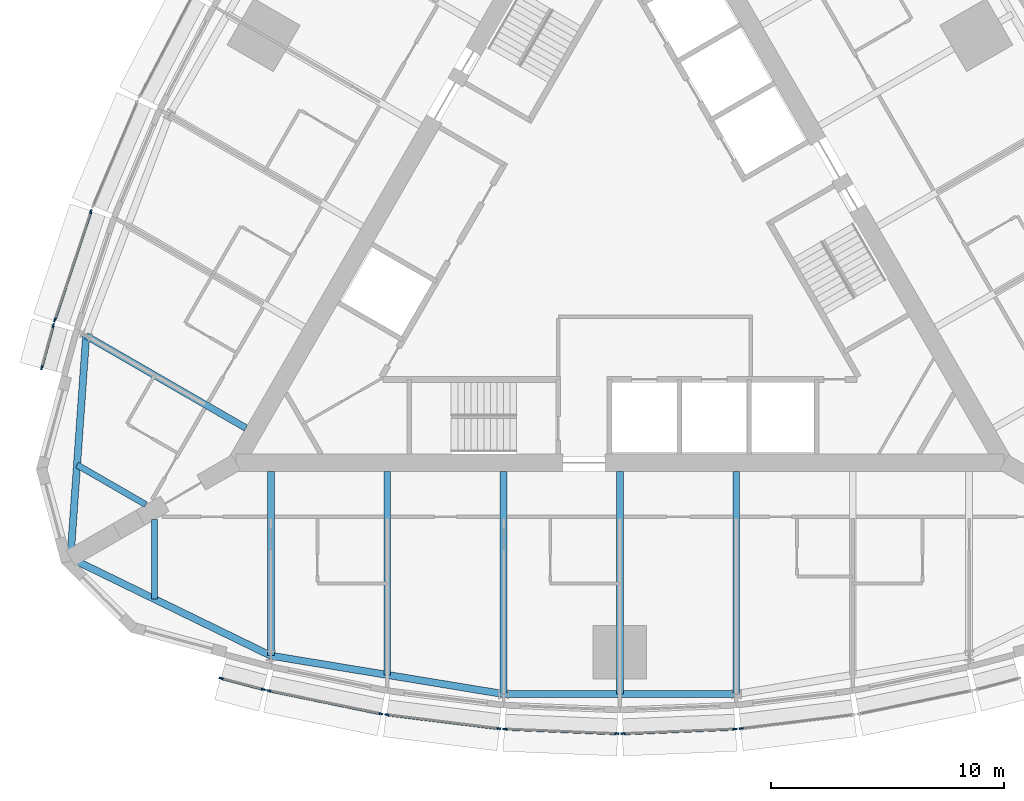
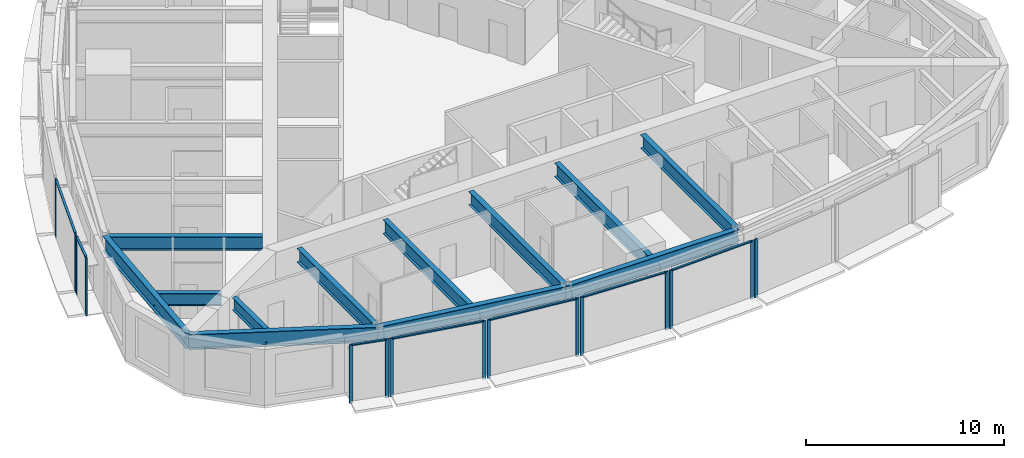
# One storey, part 2 of 15: 22 members, 12 beams, 8 elements without a shape of their own.
"""IFC4 building model written with IfcOpenShell, lengths in metres."""

from ifc_helpers import new_model, si_unit, direction, frame, origin, origin_2d, place, context, subcontext, project, spatial, rectangle, i_section, extrude, material, material_profile, profile_set, type_object, element, aggregate, save


model = new_model("IFC4")

# Units and contexts
model_context = context("Model", 3, precision=1e-05, world=origin(), true_north=direction((0.0, 1.0)))
body_context = subcontext(model_context, "Body", "Model", "MODEL_VIEW")
ifc_project = project(units=[si_unit("LENGTHUNIT", "METRE"), si_unit("AREAUNIT", "SQUARE_METRE"), si_unit("VOLUMEUNIT", "CUBIC_METRE"), si_unit("PLANEANGLEUNIT", "RADIAN"), si_unit("MASSUNIT", "GRAM", prefix="KILO")], contexts=[model_context])

# Site, building, storey
site_placement = place(None, origin())
site = spatial("IfcSite", under=ifc_project, at=site_placement, CompositionType="ELEMENT")
building_placement = place(site_placement, origin())
building = spatial("IfcBuilding", under=site, at=building_placement, Name="Trikona Tower", CompositionType="ELEMENT")
storey_placement = place(building_placement, frame((0.0, 0.0, 211.699951171875)))
storey = spatial("IfcBuildingStorey", under=building, at=storey_placement, Name="L56", CompositionType="ELEMENT", Elevation=211.699951171875)

# Curtain wall, members
ifc_material_1 = material(Name="Aluminium curtain wall system", Category="aluminium")
curtain_wall_type = type_object("IfcCurtainWallType", Name="Curtain wall DS3", PredefinedType="NOTDEFINED", material=ifc_material_1)
curtain_wall_1_placement = place(storey_placement, origin())
curtain_wall_1 = element("IfcCurtainWall", 1, at=curtain_wall_1_placement, inside=storey, type_object=curtain_wall_type, Name="Curtain wall DS3 L56", PredefinedType="NOTDEFINED")
ifc_material_2 = material(Name="Aluminium mullion, pale anodised", Category="aluminium")
ifc_material_profile_1 = material_profile(ifc_material_2, rectangle(XDim=0.070068359375, YDim=0.179931640625, at=origin_2d()), Name="MUL-DS3")
ifc_profile_set_1 = profile_set([ifc_material_profile_1], Name="Aluminium mullion, pale anodised")
member_type_1 = type_object("IfcMemberType", Name="Mullion DS3 70x180", PredefinedType="MULLION", material=ifc_profile_set_1)
member_1_placement = place(storey_placement, frame((-17.137451171875, -18.79248046875, 0.0), z_axis=(0.0, 0.0, 1.0), x_axis=(0.25478635579, 0.966997369647, 0.0)))
member_1 = element("IfcMember", 2, at=member_1_placement, type_object=member_type_1, Name="CW-DS3 mullion 1", PredefinedType="MULLION", context=body_context, shape_type="SweptSolid", body=[
    extrude(rectangle(XDim=0.070068359375, YDim=0.179931640625, at=origin_2d()), origin(), (0.0, 0.0, 1.0), 3.60009765625),
])
member_2_placement = place(storey_placement, frame((-15.321044921875, -19.27099609375, 0.0), z_axis=(0.0, 0.0, 1.0), x_axis=(0.25478635579, 0.966997369647, 0.0)))
member_2 = element("IfcMember", 3, at=member_2_placement, type_object=member_type_1, Name="CW-DS3 mullion 2", PredefinedType="MULLION", context=body_context, shape_type="SweptSolid", body=[
    extrude(rectangle(XDim=0.070068359375, YDim=0.179931640625, at=origin_2d()), origin(), (0.0, 0.0, 1.0), 3.60009765625),
])

curtain_wall_2_placement = place(storey_placement, origin())
curtain_wall_2 = element("IfcCurtainWall", 4, at=curtain_wall_2_placement, inside=storey, type_object=curtain_wall_type, Name="Curtain wall DS3 L56", PredefinedType="NOTDEFINED")
member_3_placement = place(storey_placement, frame((-15.08837890625, -19.325439453125, 0.0), z_axis=(0.0, 0.0, 1.0), x_axis=(0.201652920672, 0.979457043256, 0.0)))
member_3 = element("IfcMember", 5, at=member_3_placement, type_object=member_type_1, Name="CW-DS3 mullion 1", PredefinedType="MULLION", context=body_context, shape_type="SweptSolid", body=[
    extrude(rectangle(XDim=0.070068359375, YDim=0.179931640625, at=origin_2d()), origin(), (0.0, 0.0, 1.0), 3.60009765625),
])
member_4_placement = place(storey_placement, frame((-10.274658203125, -20.316650390625, 0.0), z_axis=(0.0, 0.0, 1.0), x_axis=(0.201652920672, 0.979457043256, 0.0)))
member_4 = element("IfcMember", 6, at=member_4_placement, type_object=member_type_1, Name="CW-DS3 mullion 2", PredefinedType="MULLION", context=body_context, shape_type="SweptSolid", body=[
    extrude(rectangle(XDim=0.070068359375, YDim=0.179931640625, at=origin_2d()), origin(), (0.0, 0.0, 1.0), 3.60009765625),
])

curtain_wall_3_placement = place(storey_placement, origin())
curtain_wall_3 = element("IfcCurtainWall", 7, at=curtain_wall_3_placement, inside=storey, type_object=curtain_wall_type, Name="Curtain wall DS3 L56", PredefinedType="NOTDEFINED")
member_5_placement = place(storey_placement, frame((-10.01611328125, -20.359130859375, 0.0), z_axis=(0.0, 0.0, 1.0), x_axis=(0.122610640458, 0.992454850785, 0.0)))
member_5 = element("IfcMember", 8, at=member_5_placement, type_object=member_type_1, Name="CW-DS3 mullion 1", PredefinedType="MULLION", context=body_context, shape_type="SweptSolid", body=[
    extrude(rectangle(XDim=0.070068359375, YDim=0.179931640625, at=origin_2d()), origin(), (0.0, 0.0, 1.0), 3.60009765625),
])
member_6_placement = place(storey_placement, frame((-5.20458984375, -20.95361328125, 0.0), z_axis=(0.0, 0.0, 1.0), x_axis=(0.122610640458, 0.992454850785, 0.0)))
member_6 = element("IfcMember", 9, at=member_6_placement, type_object=member_type_1, Name="CW-DS3 mullion 2", PredefinedType="MULLION", context=body_context, shape_type="SweptSolid", body=[
    extrude(rectangle(XDim=0.070068359375, YDim=0.179931640625, at=origin_2d()), origin(), (0.0, 0.0, 1.0), 3.60009765625),
])

curtain_wall_4_placement = place(storey_placement, origin())
curtain_wall_4 = element("IfcCurtainWall", 10, at=curtain_wall_4_placement, inside=storey, type_object=curtain_wall_type, Name="Curtain wall DS3 L56", PredefinedType="NOTDEFINED")
member_7_placement = place(storey_placement, frame((-4.942138671875, -20.97509765625, 0.0), z_axis=(0.0, 0.0, 1.0), x_axis=(0.04115278907, 0.999152865157, 0.0)))
member_7 = element("IfcMember", 11, at=member_7_placement, type_object=member_type_1, Name="CW-DS3 mullion 1", PredefinedType="MULLION", context=body_context, shape_type="SweptSolid", body=[
    extrude(rectangle(XDim=0.070068359375, YDim=0.179931640625, at=origin_2d()), origin(), (0.0, 0.0, 1.0), 3.60009765625),
])
member_8_placement = place(storey_placement, frame((-0.132080078125, -21.17333984375, 0.0), z_axis=(0.0, 0.0, 1.0), x_axis=(0.04115278907, 0.999152865157, 0.0)))
member_8 = element("IfcMember", 12, at=member_8_placement, type_object=member_type_1, Name="CW-DS3 mullion 2", PredefinedType="MULLION", context=body_context, shape_type="SweptSolid", body=[
    extrude(rectangle(XDim=0.070068359375, YDim=0.179931640625, at=origin_2d()), origin(), (0.0, 0.0, 1.0), 3.60009765625),
])

curtain_wall_5_placement = place(storey_placement, origin())
curtain_wall_5 = element("IfcCurtainWall", 13, at=curtain_wall_5_placement, inside=storey, type_object=curtain_wall_type, Name="Curtain wall DS3 L56", PredefinedType="NOTDEFINED")
member_9_placement = place(storey_placement, frame((0.132080078125, -21.17333984375, 0.0), z_axis=(0.0, 0.0, 1.0), x_axis=(-0.04115278907, 0.999152865157, 0.0)))
member_9 = element("IfcMember", 14, at=member_9_placement, type_object=member_type_1, Name="CW-DS3 mullion 1", PredefinedType="MULLION", context=body_context, shape_type="SweptSolid", body=[
    extrude(rectangle(XDim=0.070068359375, YDim=0.179931640625, at=origin_2d()), origin(), (0.0, 0.0, 1.0), 3.60009765625),
])
member_10_placement = place(storey_placement, frame((4.942138671875, -20.97509765625, 0.0), z_axis=(0.0, 0.0, 1.0), x_axis=(-0.04115278907, 0.999152865157, 0.0)))
member_10 = element("IfcMember", 15, at=member_10_placement, type_object=member_type_1, Name="CW-DS3 mullion 2", PredefinedType="MULLION", context=body_context, shape_type="SweptSolid", body=[
    extrude(rectangle(XDim=0.070068359375, YDim=0.179931640625, at=origin_2d()), origin(), (0.0, 0.0, 1.0), 3.60009765625),
])

# Curtain wall, member
curtain_wall_6_placement = place(storey_placement, origin())
curtain_wall_6 = element("IfcCurtainWall", 16, at=curtain_wall_6_placement, inside=storey, type_object=curtain_wall_type, Name="Curtain wall DS3 L56", PredefinedType="NOTDEFINED")
member_11_placement = place(storey_placement, frame((5.20458984375, -20.95361328125, 0.0), z_axis=(0.0, 0.0, 1.0), x_axis=(-0.122610640458, 0.992454850785, 0.0)))
member_11 = element("IfcMember", 17, at=member_11_placement, type_object=member_type_1, Name="CW-DS3 mullion 1", PredefinedType="MULLION", context=body_context, shape_type="SweptSolid", body=[
    extrude(rectangle(XDim=0.070068359375, YDim=0.179931640625, at=origin_2d()), origin(), (0.0, 0.0, 1.0), 3.60009765625),
])
aggregate(curtain_wall_6, [member_11])

# Curtain wall, members
curtain_wall_7_placement = place(storey_placement, origin())
curtain_wall_7 = element("IfcCurtainWall", 18, at=curtain_wall_7_placement, inside=storey, type_object=curtain_wall_type, Name="Curtain wall DS3 L56", PredefinedType="NOTDEFINED")
member_12_placement = place(storey_placement, frame((-22.73193359375, 1.26025390625, 0.0), z_axis=(0.0, 0.0, 1.0), x_axis=(0.949065766708, -0.315078038687, 0.0)))
member_12 = element("IfcMember", 19, at=member_12_placement, type_object=member_type_1, Name="CW-DS3 mullion 1", PredefinedType="MULLION", context=body_context, shape_type="SweptSolid", body=[
    extrude(rectangle(XDim=0.070068359375, YDim=0.179931640625, at=origin_2d()), origin(), (0.0, 0.0, 1.0), 3.60009765625),
])
member_13_placement = place(storey_placement, frame((-24.280517578125, -3.404296875, 0.0), z_axis=(0.0, 0.0, 1.0), x_axis=(0.949065766708, -0.315078038687, 0.0)))
member_13 = element("IfcMember", 20, at=member_13_placement, type_object=member_type_1, Name="CW-DS3 mullion 2", PredefinedType="MULLION", context=body_context, shape_type="SweptSolid", body=[
    extrude(rectangle(XDim=0.070068359375, YDim=0.179931640625, at=origin_2d()), origin(), (0.0, 0.0, 1.0), 3.60009765625),
])

curtain_wall_8_placement = place(storey_placement, origin())
curtain_wall_8 = element("IfcCurtainWall", 21, at=curtain_wall_8_placement, inside=storey, type_object=curtain_wall_type, Name="Curtain wall DS3 L56", PredefinedType="NOTDEFINED")
member_14_placement = place(storey_placement, frame((-24.349609375, -3.633056640625, 0.0), z_axis=(0.0, 0.0, 1.0), x_axis=(0.964838403494, -0.262843784676, 0.0)))
member_14 = element("IfcMember", 22, at=member_14_placement, type_object=member_type_1, Name="CW-DS3 mullion 1", PredefinedType="MULLION", context=body_context, shape_type="SweptSolid", body=[
    extrude(rectangle(XDim=0.070068359375, YDim=0.179931640625, at=origin_2d()), origin(), (0.0, 0.0, 1.0), 3.60009765625),
])
member_15_placement = place(storey_placement, frame((-24.843505859375, -5.4453125, 0.0), z_axis=(0.0, 0.0, 1.0), x_axis=(0.964838403494, -0.262843784676, 0.0)))
member_15 = element("IfcMember", 23, at=member_15_placement, type_object=member_type_1, Name="CW-DS3 mullion 2", PredefinedType="MULLION", context=body_context, shape_type="SweptSolid", body=[
    extrude(rectangle(XDim=0.070068359375, YDim=0.179931640625, at=origin_2d()), origin(), (0.0, 0.0, 1.0), 3.60009765625),
])

# Beams
ifc_material_3 = material(Name="Steel ASTM A992 Grade 50", Category="steel")
ifc_material_profile_2 = material_profile(ifc_material_3, i_section(OverallWidth=0.2666015625, OverallDepth=0.76953125, WebThickness=0.015625, FlangeThickness=0.025390625, at=origin_2d()), Name="W30X132")
ifc_profile_set_2 = profile_set([ifc_material_profile_2], Name="Steel ASTM A992 Grade 50")
beam_type_1 = type_object("IfcBeamType", Name="Steel beam W30x132 (wedge)", PredefinedType="BEAM", material=ifc_profile_set_2)
beam_1_placement = place(storey_placement, frame((-20.0, -11.97998046875, 3.05029296875), z_axis=(0.0, -1.0, 0.0), x_axis=(1.0, 0.0, 0.0)))
element("IfcBeam", 24, at=beam_1_placement, inside=storey, type_object=beam_type_1, Name="Floor beam L57 F1 u-20", PredefinedType="BEAM", context=body_context, shape_type="SweptSolid", body=[
    extrude(i_section(OverallWidth=0.2666015625, OverallDepth=0.76953125, WebThickness=0.015625, FlangeThickness=0.025390625, at=origin_2d()), origin(), (0.0, 0.0, 1.0), 3.40966796875),
])
beam_2_placement = place(storey_placement, frame((-20.375, -11.33056640625, 3.05029296875), z_axis=(-0.865995995653, 0.500050932918, 0.0), x_axis=(-0.500050932918, -0.865995995653, 0.0)))
element("IfcBeam", 25, at=beam_2_placement, inside=storey, type_object=beam_type_1, Name="Floor beam L57 F3 u20", PredefinedType="BEAM", context=body_context, shape_type="SweptSolid", body=[
    extrude(i_section(OverallWidth=0.2666015625, OverallDepth=0.76953125, WebThickness=0.015625, FlangeThickness=0.025390625, at=origin_2d()), origin(), (0.0, 0.0, 1.0), 3.409912109375),
])
ifc_material_4 = material(Name="Steel ASTM A992 Grade 50", Category="steel")
ifc_material_profile_3 = material_profile(ifc_material_4, i_section(OverallWidth=0.2919921875, OverallDepth=0.845703125, WebThickness=0.015380859375, FlangeThickness=0.0244140625, at=origin_2d()), Name="W33X141")
ifc_profile_set_3 = profile_set([ifc_material_profile_3], Name="Steel ASTM A992 Grade 50")
beam_type_2 = type_object("IfcBeamType", Name="Steel beam W33x141 (radial typ)", PredefinedType="BEAM", material=ifc_profile_set_3)
beam_3_placement = place(storey_placement, frame((-15.0, -9.9013671875, 3.01220703125), z_axis=(0.0, -1.0, 0.0), x_axis=(1.0, 0.0, 0.0)))
element("IfcBeam", 26, at=beam_3_placement, inside=storey, type_object=beam_type_2, Name="Floor beam L57 F1 u-15", PredefinedType="BEAM", context=body_context, shape_type="SweptSolid", body=[
    extrude(i_section(OverallWidth=0.2919921875, OverallDepth=0.845703125, WebThickness=0.015380859375, FlangeThickness=0.0244140625, at=origin_2d()), origin(), (0.0, 0.0, 1.0), 7.923583984375),
])
beam_4_placement = place(storey_placement, frame((-10.0, -9.9013671875, 3.01220703125), z_axis=(0.0, -1.0, 0.0), x_axis=(1.0, 0.0, 0.0)))
element("IfcBeam", 27, at=beam_4_placement, inside=storey, type_object=beam_type_2, Name="Floor beam L57 F1 u-10", PredefinedType="BEAM", context=body_context, shape_type="SweptSolid", body=[
    extrude(i_section(OverallWidth=0.2919921875, OverallDepth=0.845703125, WebThickness=0.015380859375, FlangeThickness=0.0244140625, at=origin_2d()), origin(), (0.0, 0.0, 1.0), 8.7470703125),
])
for number, where, z_axis, x_axis, name in (
    (28, (-5.0, -9.9013671875, 3.01220703125), (0.0, -1.0, 0.0), (1.0, 0.0, 0.0), "Floor beam L57 F1 u-5"),
    (29, (0.0, -9.9013671875, 3.01220703125), (0.0, -1.0, 0.0), (1.0, 0.0, 0.0), "Floor beam L57 F1 u0"),
    (30, (5.0, -9.9013671875, 3.01220703125), (0.0, -1.0, 0.0), (1.0, 0.0, 0.0), "Floor beam L57 F1 u5"),
):
    element("IfcBeam", number, at=place(storey_placement, frame(where, z_axis=z_axis, x_axis=x_axis)), inside=storey, type_object=beam_type_2, Name=name, PredefinedType="BEAM", context=body_context, shape_type="SweptSolid", body=[
        extrude(i_section(OverallWidth=0.2919921875, OverallDepth=0.845703125, WebThickness=0.015380859375, FlangeThickness=0.0244140625, at=origin_2d()), origin(), (0.0, 0.0, 1.0), 9.570556640625),
    ])
beam_5_placement = place(storey_placement, frame((-16.07470703125, -8.039794921875, 3.01220703125), z_axis=(-0.866019853763, 0.500009612796, 0.0), x_axis=(-0.500009612796, -0.866019853763, 0.0)))
element("IfcBeam", 31, at=beam_5_placement, inside=storey, type_object=beam_type_2, Name="Floor beam L57 F3 u15", PredefinedType="BEAM", context=body_context, shape_type="SweptSolid", body=[
    extrude(i_section(OverallWidth=0.2919921875, OverallDepth=0.845703125, WebThickness=0.015380859375, FlangeThickness=0.0244140625, at=origin_2d()), origin(), (0.0, 0.0, 1.0), 7.923583984375),
])
ifc_material_5 = material(Name="Steel ASTM A992 Grade 50", Category="steel")
ifc_material_profile_4 = material_profile(ifc_material_5, i_section(OverallWidth=0.307373046875, OverallDepth=0.922119140625, WebThickness=0.018310546875, FlangeThickness=0.030029296875, at=origin_2d()), Name="W36X182")
ifc_profile_set_4 = profile_set([ifc_material_profile_4], Name="Steel ASTM A992 Grade 50")
beam_type_3 = type_object("IfcBeamType", Name="Steel beam W36x182 (spandrel mid)", PredefinedType="SPANDREL", material=ifc_profile_set_4)
beam_6_placement = place(storey_placement, frame((-23.6103515625, -13.63134765625, 2.97412109375), z_axis=(0.899038503257, -0.437869580652, 0.0), x_axis=(0.437869580652, 0.899038503257, 0.0)))
element("IfcBeam", 32, at=beam_6_placement, inside=storey, type_object=beam_type_3, Name="Spandrel beam L57 F1-1", PredefinedType="SPANDREL", context=body_context, shape_type="SweptSolid", body=[
    extrude(i_section(OverallWidth=0.307373046875, OverallDepth=0.922119140625, WebThickness=0.018310546875, FlangeThickness=0.030029296875, at=origin_2d()), origin(), (0.0, 0.0, 1.0), 9.577392578125),
])
beam_7_placement = place(storey_placement, frame((-15.0, -17.824951171875, 2.97412109375), z_axis=(0.986707228918, -0.162507982575, 0.0), x_axis=(0.162507982575, 0.986707228918, 0.0)))
element("IfcBeam", 33, at=beam_7_placement, inside=storey, type_object=beam_type_3, Name="Spandrel beam L57 F1-2", PredefinedType="SPANDREL", context=body_context, shape_type="SweptSolid", body=[
    extrude(i_section(OverallWidth=0.307373046875, OverallDepth=0.922119140625, WebThickness=0.018310546875, FlangeThickness=0.030029296875, at=origin_2d()), origin(), (0.0, 0.0, 1.0), 10.134765625),
])
beam_8_placement = place(storey_placement, frame((-5.0, -19.471923828125, 2.97412109375), z_axis=(1.0, 0.0, 0.0), x_axis=(0.0, 1.0, 0.0)))
element("IfcBeam", 34, at=beam_8_placement, inside=storey, type_object=beam_type_3, Name="Spandrel beam L57 F1-3", PredefinedType="SPANDREL", context=body_context, shape_type="SweptSolid", body=[
    extrude(i_section(OverallWidth=0.307373046875, OverallDepth=0.922119140625, WebThickness=0.018310546875, FlangeThickness=0.030029296875, at=origin_2d()), origin(), (0.0, 0.0, 1.0), 10.0),
])
beam_9_placement = place(storey_placement, frame((-22.936767578125, -4.077880859375, 2.97412109375), z_axis=(-0.07033215835, -0.997523627541, 0.0), x_axis=(0.997523627541, -0.07033215835, 0.0)))
element("IfcBeam", 35, at=beam_9_placement, inside=storey, type_object=beam_type_3, Name="Spandrel beam L57 F3-5", PredefinedType="SPANDREL", context=body_context, shape_type="SweptSolid", body=[
    extrude(i_section(OverallWidth=0.307373046875, OverallDepth=0.922119140625, WebThickness=0.018310546875, FlangeThickness=0.030029296875, at=origin_2d()), origin(), (0.0, 0.0, 1.0), 9.5771484375),
])

# Member
ifc_material_6 = material(Name="Aluminium transom, pale anodised", Category="aluminium")
ifc_material_profile_5 = material_profile(ifc_material_6, rectangle(XDim=0.1201171875, YDim=0.070068359375, at=origin_2d()), Name="TRN-DS3")
ifc_profile_set_5 = profile_set([ifc_material_profile_5], Name="Aluminium transom, pale anodised")
member_type_2 = type_object("IfcMemberType", Name="Transom DS3 70x120", PredefinedType="USERDEFINED", material=ifc_profile_set_5)
member_16_placement = place(storey_placement, frame((-17.103515625, -18.80126953125, 3.56494140625), z_axis=(0.966999290683, -0.254779064719, 0.0), x_axis=(0.254779064719, 0.966999290683, 0.0)))
member_16 = element("IfcMember", 36, at=member_16_placement, type_object=member_type_2, Name="CW-DS3 transom 1.1", ObjectType="TRANSOM", PredefinedType="USERDEFINED", context=body_context, shape_type="SweptSolid", body=[
    extrude(rectangle(XDim=0.1201171875, YDim=0.070068359375, at=origin_2d()), origin(), (0.0, 0.0, 1.0), 1.80810546875),
])

aggregate(curtain_wall_1, [member_1, member_2, member_16])

member_17_placement = place(storey_placement, frame((-15.05419921875, -19.33251953125, 3.56494140625), z_axis=(0.979454408611, -0.201665717099, 0.0), x_axis=(0.201665717099, 0.979454408611, 0.0)))
member_17 = element("IfcMember", 37, at=member_17_placement, type_object=member_type_2, Name="CW-DS3 transom 1.1", ObjectType="TRANSOM", PredefinedType="USERDEFINED", context=body_context, shape_type="SweptSolid", body=[
    extrude(rectangle(XDim=0.1201171875, YDim=0.070068359375, at=origin_2d()), origin(), (0.0, 0.0, 1.0), 4.844970703125),
])

aggregate(curtain_wall_2, [member_3, member_4, member_17])

member_18_placement = place(storey_placement, frame((-9.9814453125, -20.363525390625, 3.56494140625), z_axis=(0.992459172161, -0.122575656611, 0.0), x_axis=(0.122575656611, 0.992459172161, 0.0)))
member_18 = element("IfcMember", 38, at=member_18_placement, type_object=member_type_2, Name="CW-DS3 transom 1.1", ObjectType="TRANSOM", PredefinedType="USERDEFINED", context=body_context, shape_type="SweptSolid", body=[
    extrude(rectangle(XDim=0.1201171875, YDim=0.070068359375, at=origin_2d()), origin(), (0.0, 0.0, 1.0), 4.7783203125),
])

aggregate(curtain_wall_3, [member_5, member_6, member_18])

member_19_placement = place(storey_placement, frame((-4.9072265625, -20.9765625, 3.56494140625), z_axis=(0.99915223027, -0.04116820067, 0.0), x_axis=(0.04116820067, 0.99915223027, 0.0)))
member_19 = element("IfcMember", 39, at=member_19_placement, type_object=member_type_2, Name="CW-DS3 transom 1.1", ObjectType="TRANSOM", PredefinedType="USERDEFINED", context=body_context, shape_type="SweptSolid", body=[
    extrude(rectangle(XDim=0.1201171875, YDim=0.070068359375, at=origin_2d()), origin(), (0.0, 0.0, 1.0), 4.744140625),
])

aggregate(curtain_wall_4, [member_7, member_8, member_19])

member_20_placement = place(storey_placement, frame((0.1669921875, -21.171875, 3.56494140625), z_axis=(0.99915223027, 0.04116820067, 0.0), x_axis=(-0.04116820067, 0.99915223027, 0.0)))
member_20 = element("IfcMember", 40, at=member_20_placement, type_object=member_type_2, Name="CW-DS3 transom 1.1", ObjectType="TRANSOM", PredefinedType="USERDEFINED", context=body_context, shape_type="SweptSolid", body=[
    extrude(rectangle(XDim=0.1201171875, YDim=0.070068359375, at=origin_2d()), origin(), (0.0, 0.0, 1.0), 4.744140625),
])

aggregate(curtain_wall_5, [member_9, member_10, member_20])

member_21_placement = place(storey_placement, frame((-22.7431640625, 1.22705078125, 3.56494140625), z_axis=(-0.315063426034, -0.949070617802, 0.0), x_axis=(0.949070617802, -0.315063426034, 0.0)))
member_21 = element("IfcMember", 41, at=member_21_placement, type_object=member_type_2, Name="CW-DS3 transom 1.1", ObjectType="TRANSOM", PredefinedType="USERDEFINED", context=body_context, shape_type="SweptSolid", body=[
    extrude(rectangle(XDim=0.1201171875, YDim=0.070068359375, at=origin_2d()), origin(), (0.0, 0.0, 1.0), 4.8447265625),
])

aggregate(curtain_wall_7, [member_12, member_13, member_21])

member_22_placement = place(storey_placement, frame((-24.35888671875, -3.666748046875, 3.56494140625), z_axis=(-0.262843243155, -0.964838551017, 0.0), x_axis=(0.964838551017, -0.262843243155, 0.0)))
member_22 = element("IfcMember", 42, at=member_22_placement, type_object=member_type_2, Name="CW-DS3 transom 1.1", ObjectType="TRANSOM", PredefinedType="USERDEFINED", context=body_context, shape_type="SweptSolid", body=[
    extrude(rectangle(XDim=0.1201171875, YDim=0.070068359375, at=origin_2d()), origin(), (0.0, 0.0, 1.0), 1.808349609375),
])

aggregate(curtain_wall_8, [member_14, member_15, member_22])

save(model, "model.ifc")
